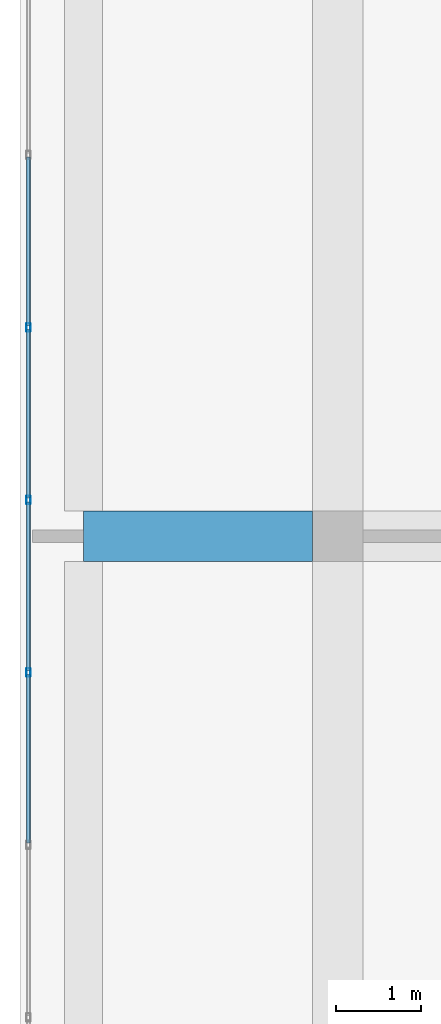
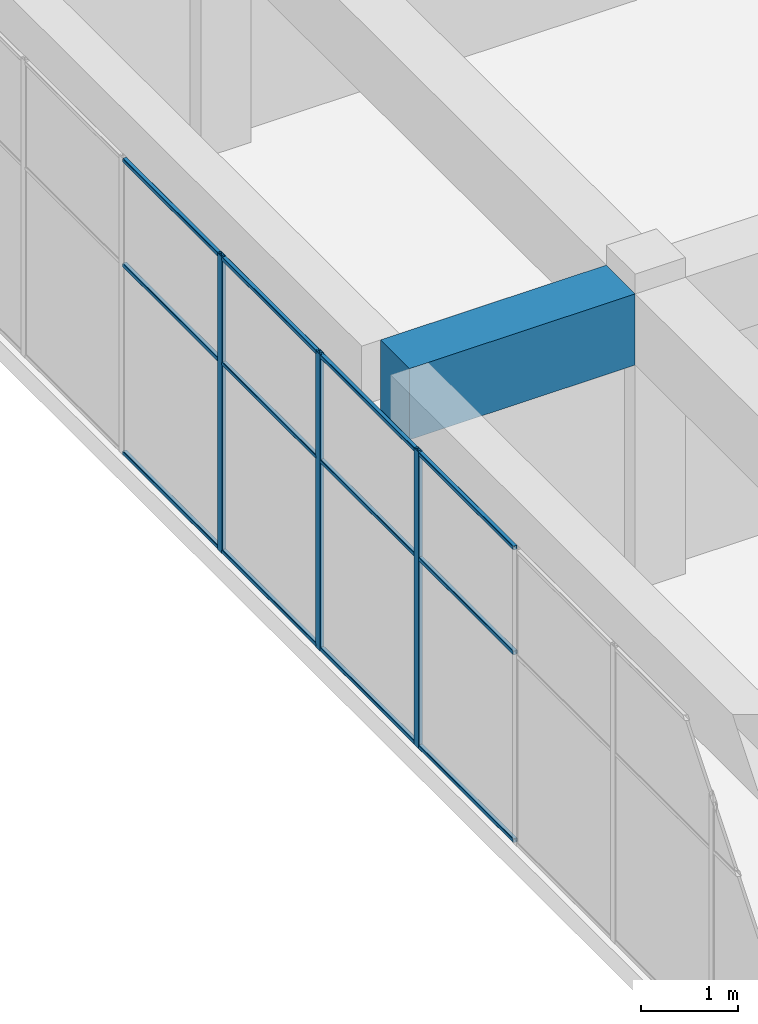
# One storey, part 10 of 35: 15 members, 1 beam, 1 element without a shape of its own.
"""IFC4 building model written with IfcOpenShell, lengths in metres."""

from ifc_helpers import new_model, si_unit, direction, frame, origin, origin_2d, place, context, subcontext, project, spatial, rectangle, hollow_rectangle, extrude, material, layer, layer_set, material_profile, profile_set, type_object, element, aggregate, save


model = new_model("IFC4")

# Units and contexts
model_context = context("Model", 3, precision=1e-05, world=origin(), true_north=direction((0.0, 1.0)))
body_context = subcontext(model_context, "Body", "Model", "MODEL_VIEW")
ifc_project = project(units=[si_unit("LENGTHUNIT", "METRE"), si_unit("AREAUNIT", "SQUARE_METRE"), si_unit("VOLUMEUNIT", "CUBIC_METRE"), si_unit("PLANEANGLEUNIT", "RADIAN"), si_unit("MASSUNIT", "GRAM", prefix="KILO")], contexts=[model_context])

# Site, building, storey
site_placement = place(None, origin())
site = spatial("IfcSite", under=ifc_project, at=site_placement, CompositionType="ELEMENT")
building_placement = place(site_placement, origin())
building = spatial("IfcBuilding", under=site, at=building_placement, Name="Tuart Plaza Theatre", CompositionType="ELEMENT")
storey_placement = place(building_placement, frame((0.0, 0.0, 45.5)))
storey = spatial("IfcBuildingStorey", under=building, at=storey_placement, Name="L11", CompositionType="ELEMENT", Elevation=45.5)

# Beam
ifc_material_1 = material(Name="Concrete N40 (40 MPa)", Category="concrete")
ifc_material_profile_1 = material_profile(ifc_material_1, rectangle(XDim=0.60009765625, YDim=0.89990234375, at=origin_2d()), Name="BEAM 600x900 Concrete N40 (40 MPa)")
ifc_profile_set_1 = profile_set([ifc_material_profile_1], Name="Concrete N40 (40 MPa)")
beam_type = type_object("IfcBeamType", Name="BEAM 600x900 Concrete N40 (40 MPa)", PredefinedType="BEAM", material=ifc_profile_set_1)
beam_placement = place(storey_placement, frame((111.0, 74.0, 3.300048828125), z_axis=(1.0, 0.0, 0.0), x_axis=(0.0, 1.0, 0.0)))
element("IfcBeam", 1, at=beam_placement, inside=storey, type_object=beam_type, Name="RB285", PredefinedType="BEAM", context=body_context, shape_type="SweptSolid", body=[
    extrude(rectangle(XDim=0.60009765625, YDim=0.89990234375, at=origin_2d()), origin(), (0.0, 0.0, 1.0), 2.699951171875),
])

# Curtain wall, members
ifc_material_2 = material(Name="Aluminium and glass", Category="aluminium")
ifc_layer = layer(ifc_material_2, 0.10009765625)
ifc_layer_set = layer_set([ifc_layer], Name="CURTAIN WALL 2000 module")
curtain_wall_type = type_object("IfcCurtainWallType", Name="CURTAIN WALL 2000 module", PredefinedType="NOTDEFINED", material=ifc_layer_set)
curtain_wall_placement = place(storey_placement, origin())
curtain_wall = element("IfcCurtainWall", 2, at=curtain_wall_placement, inside=storey, type_object=curtain_wall_type, Name="CW106", PredefinedType="NOTDEFINED")
ifc_material_3 = material(Name="Aluminium 6063-T5", Category="aluminium")
ifc_material_profile_2 = material_profile(ifc_material_3, hollow_rectangle(XDim=0.050048828125, YDim=0.10009765625, WallThickness=0.00390625, InnerFilletRadius=0.00390625, OuterFilletRadius=0.008056640625, at=origin_2d()), Name="RHS 100x50x4")
ifc_profile_set_2 = profile_set([ifc_material_profile_2], Name="Aluminium 6063-T5")
member_type_1 = type_object("IfcMemberType", Name="MULLION RHS 100x50x4", PredefinedType="MULLION", material=ifc_profile_set_2)
member_1_placement = place(storey_placement, frame((110.35009765625, 76.46435546875, 0.0), z_axis=(0.0, 0.0, 1.0), x_axis=(1.0, 0.0, 0.0)))
member_1 = element("IfcMember", 3, at=member_1_placement, type_object=member_type_1, Name="CW106 mullion 9", PredefinedType="MULLION", context=body_context, shape_type="SweptSolid", body=[
    extrude(hollow_rectangle(XDim=0.050048828125, YDim=0.10009765625, WallThickness=0.00390625, InnerFilletRadius=0.00390625, OuterFilletRadius=0.008056640625, at=origin_2d()), origin(), (0.0, 0.0, 1.0), 3.75),
])
member_2_placement = place(storey_placement, frame((110.35009765625, 74.428466796875, 0.0), z_axis=(0.0, 0.0, 1.0), x_axis=(1.0, 0.0, 0.0)))
member_2 = element("IfcMember", 4, at=member_2_placement, type_object=member_type_1, Name="CW106 mullion 10", PredefinedType="MULLION", context=body_context, shape_type="SweptSolid", body=[
    extrude(hollow_rectangle(XDim=0.050048828125, YDim=0.10009765625, WallThickness=0.00390625, InnerFilletRadius=0.00390625, OuterFilletRadius=0.008056640625, at=origin_2d()), origin(), (0.0, 0.0, 1.0), 3.75),
])
member_3_placement = place(storey_placement, frame((110.35009765625, 72.392822265625, 0.0), z_axis=(0.0, 0.0, 1.0), x_axis=(1.0, 0.0, 0.0)))
member_3 = element("IfcMember", 5, at=member_3_placement, type_object=member_type_1, Name="CW106 mullion 11", PredefinedType="MULLION", context=body_context, shape_type="SweptSolid", body=[
    extrude(hollow_rectangle(XDim=0.050048828125, YDim=0.10009765625, WallThickness=0.00390625, InnerFilletRadius=0.00390625, OuterFilletRadius=0.008056640625, at=origin_2d()), origin(), (0.0, 0.0, 1.0), 3.75),
])
ifc_material_4 = material(Name="Aluminium 6063-T5", Category="aluminium")
ifc_material_profile_3 = material_profile(ifc_material_4, hollow_rectangle(XDim=0.050048828125, YDim=0.050048828125, WallThickness=0.00390625, InnerFilletRadius=0.00390625, OuterFilletRadius=0.008056640625, at=origin_2d()), Name="RHS 50x50x4")
ifc_profile_set_3 = profile_set([ifc_material_profile_3], Name="Aluminium 6063-T5")
member_type_2 = type_object("IfcMemberType", Name="TRANSOM RHS 50x50x4", PredefinedType="USERDEFINED", material=ifc_profile_set_3)
member_4_placement = place(storey_placement, frame((110.35009765625, 78.47509765625, 0.02490234375), z_axis=(0.0, -1.0, 0.0), x_axis=(1.0, 0.0, 0.0)))
member_4 = element("IfcMember", 6, at=member_4_placement, type_object=member_type_2, Name="CW106 transom 8.1", ObjectType="TRANSOM", PredefinedType="USERDEFINED", context=body_context, shape_type="SweptSolid", body=[
    extrude(hollow_rectangle(XDim=0.050048828125, YDim=0.050048828125, WallThickness=0.00390625, InnerFilletRadius=0.00390625, OuterFilletRadius=0.008056640625, at=origin_2d()), origin(), (0.0, 0.0, 1.0), 1.98583984375),
])
member_5_placement = place(storey_placement, frame((110.35009765625, 78.47509765625, 2.39990234375), z_axis=(0.0, -1.0, 0.0), x_axis=(1.0, 0.0, 0.0)))
member_5 = element("IfcMember", 7, at=member_5_placement, type_object=member_type_2, Name="CW106 transom 8.2", ObjectType="TRANSOM", PredefinedType="USERDEFINED", context=body_context, shape_type="SweptSolid", body=[
    extrude(hollow_rectangle(XDim=0.050048828125, YDim=0.050048828125, WallThickness=0.00390625, InnerFilletRadius=0.00390625, OuterFilletRadius=0.008056640625, at=origin_2d()), origin(), (0.0, 0.0, 1.0), 1.98583984375),
])
member_6_placement = place(storey_placement, frame((110.35009765625, 78.47509765625, 3.72509765625), z_axis=(0.0, -1.0, 0.0), x_axis=(1.0, 0.0, 0.0)))
member_6 = element("IfcMember", 8, at=member_6_placement, type_object=member_type_2, Name="CW106 transom 8.3", ObjectType="TRANSOM", PredefinedType="USERDEFINED", context=body_context, shape_type="SweptSolid", body=[
    extrude(hollow_rectangle(XDim=0.050048828125, YDim=0.050048828125, WallThickness=0.00390625, InnerFilletRadius=0.00390625, OuterFilletRadius=0.008056640625, at=origin_2d()), origin(), (0.0, 0.0, 1.0), 1.98583984375),
])
member_7_placement = place(storey_placement, frame((110.35009765625, 76.439208984375, 0.02490234375), z_axis=(0.0, -1.0, 0.0), x_axis=(1.0, 0.0, 0.0)))
member_7 = element("IfcMember", 9, at=member_7_placement, type_object=member_type_2, Name="CW106 transom 9.1", ObjectType="TRANSOM", PredefinedType="USERDEFINED", context=body_context, shape_type="SweptSolid", body=[
    extrude(hollow_rectangle(XDim=0.050048828125, YDim=0.050048828125, WallThickness=0.00390625, InnerFilletRadius=0.00390625, OuterFilletRadius=0.008056640625, at=origin_2d()), origin(), (0.0, 0.0, 1.0), 1.985595703125),
])
member_8_placement = place(storey_placement, frame((110.35009765625, 76.439208984375, 2.39990234375), z_axis=(0.0, -1.0, 0.0), x_axis=(1.0, 0.0, 0.0)))
member_8 = element("IfcMember", 10, at=member_8_placement, type_object=member_type_2, Name="CW106 transom 9.2", ObjectType="TRANSOM", PredefinedType="USERDEFINED", context=body_context, shape_type="SweptSolid", body=[
    extrude(hollow_rectangle(XDim=0.050048828125, YDim=0.050048828125, WallThickness=0.00390625, InnerFilletRadius=0.00390625, OuterFilletRadius=0.008056640625, at=origin_2d()), origin(), (0.0, 0.0, 1.0), 1.985595703125),
])
member_9_placement = place(storey_placement, frame((110.35009765625, 76.439208984375, 3.72509765625), z_axis=(0.0, -1.0, 0.0), x_axis=(1.0, 0.0, 0.0)))
member_9 = element("IfcMember", 11, at=member_9_placement, type_object=member_type_2, Name="CW106 transom 9.3", ObjectType="TRANSOM", PredefinedType="USERDEFINED", context=body_context, shape_type="SweptSolid", body=[
    extrude(hollow_rectangle(XDim=0.050048828125, YDim=0.050048828125, WallThickness=0.00390625, InnerFilletRadius=0.00390625, OuterFilletRadius=0.008056640625, at=origin_2d()), origin(), (0.0, 0.0, 1.0), 1.985595703125),
])
member_10_placement = place(storey_placement, frame((110.35009765625, 74.403564453125, 0.02490234375), z_axis=(0.0, -1.0, 0.0), x_axis=(1.0, 0.0, 0.0)))
member_10 = element("IfcMember", 12, at=member_10_placement, type_object=member_type_2, Name="CW106 transom 10.1", ObjectType="TRANSOM", PredefinedType="USERDEFINED", context=body_context, shape_type="SweptSolid", body=[
    extrude(hollow_rectangle(XDim=0.050048828125, YDim=0.050048828125, WallThickness=0.00390625, InnerFilletRadius=0.00390625, OuterFilletRadius=0.008056640625, at=origin_2d()), origin(), (0.0, 0.0, 1.0), 1.985595703125),
])
member_11_placement = place(storey_placement, frame((110.35009765625, 74.403564453125, 2.39990234375), z_axis=(0.0, -1.0, 0.0), x_axis=(1.0, 0.0, 0.0)))
member_11 = element("IfcMember", 13, at=member_11_placement, type_object=member_type_2, Name="CW106 transom 10.2", ObjectType="TRANSOM", PredefinedType="USERDEFINED", context=body_context, shape_type="SweptSolid", body=[
    extrude(hollow_rectangle(XDim=0.050048828125, YDim=0.050048828125, WallThickness=0.00390625, InnerFilletRadius=0.00390625, OuterFilletRadius=0.008056640625, at=origin_2d()), origin(), (0.0, 0.0, 1.0), 1.985595703125),
])
member_12_placement = place(storey_placement, frame((110.35009765625, 74.403564453125, 3.72509765625), z_axis=(0.0, -1.0, 0.0), x_axis=(1.0, 0.0, 0.0)))
member_12 = element("IfcMember", 14, at=member_12_placement, type_object=member_type_2, Name="CW106 transom 10.3", ObjectType="TRANSOM", PredefinedType="USERDEFINED", context=body_context, shape_type="SweptSolid", body=[
    extrude(hollow_rectangle(XDim=0.050048828125, YDim=0.050048828125, WallThickness=0.00390625, InnerFilletRadius=0.00390625, OuterFilletRadius=0.008056640625, at=origin_2d()), origin(), (0.0, 0.0, 1.0), 1.985595703125),
])
member_13_placement = place(storey_placement, frame((110.35009765625, 72.367919921875, 0.02490234375), z_axis=(0.0, -1.0, 0.0), x_axis=(1.0, 0.0, 0.0)))
member_13 = element("IfcMember", 15, at=member_13_placement, type_object=member_type_2, Name="CW106 transom 11.1", ObjectType="TRANSOM", PredefinedType="USERDEFINED", context=body_context, shape_type="SweptSolid", body=[
    extrude(hollow_rectangle(XDim=0.050048828125, YDim=0.050048828125, WallThickness=0.00390625, InnerFilletRadius=0.00390625, OuterFilletRadius=0.008056640625, at=origin_2d()), origin(), (0.0, 0.0, 1.0), 1.98583984375),
])
member_14_placement = place(storey_placement, frame((110.35009765625, 72.367919921875, 2.39990234375), z_axis=(0.0, -1.0, 0.0), x_axis=(1.0, 0.0, 0.0)))
member_14 = element("IfcMember", 16, at=member_14_placement, type_object=member_type_2, Name="CW106 transom 11.2", ObjectType="TRANSOM", PredefinedType="USERDEFINED", context=body_context, shape_type="SweptSolid", body=[
    extrude(hollow_rectangle(XDim=0.050048828125, YDim=0.050048828125, WallThickness=0.00390625, InnerFilletRadius=0.00390625, OuterFilletRadius=0.008056640625, at=origin_2d()), origin(), (0.0, 0.0, 1.0), 1.98583984375),
])
member_15_placement = place(storey_placement, frame((110.35009765625, 72.367919921875, 3.72509765625), z_axis=(0.0, -1.0, 0.0), x_axis=(1.0, 0.0, 0.0)))
member_15 = element("IfcMember", 17, at=member_15_placement, type_object=member_type_2, Name="CW106 transom 11.3", ObjectType="TRANSOM", PredefinedType="USERDEFINED", context=body_context, shape_type="SweptSolid", body=[
    extrude(hollow_rectangle(XDim=0.050048828125, YDim=0.050048828125, WallThickness=0.00390625, InnerFilletRadius=0.00390625, OuterFilletRadius=0.008056640625, at=origin_2d()), origin(), (0.0, 0.0, 1.0), 1.98583984375),
])
aggregate(curtain_wall, [member_1, member_2, member_3, member_4, member_5, member_6, member_7, member_8, member_9, member_10, member_11, member_12, member_13, member_14, member_15])

save(model, "model.ifc")
